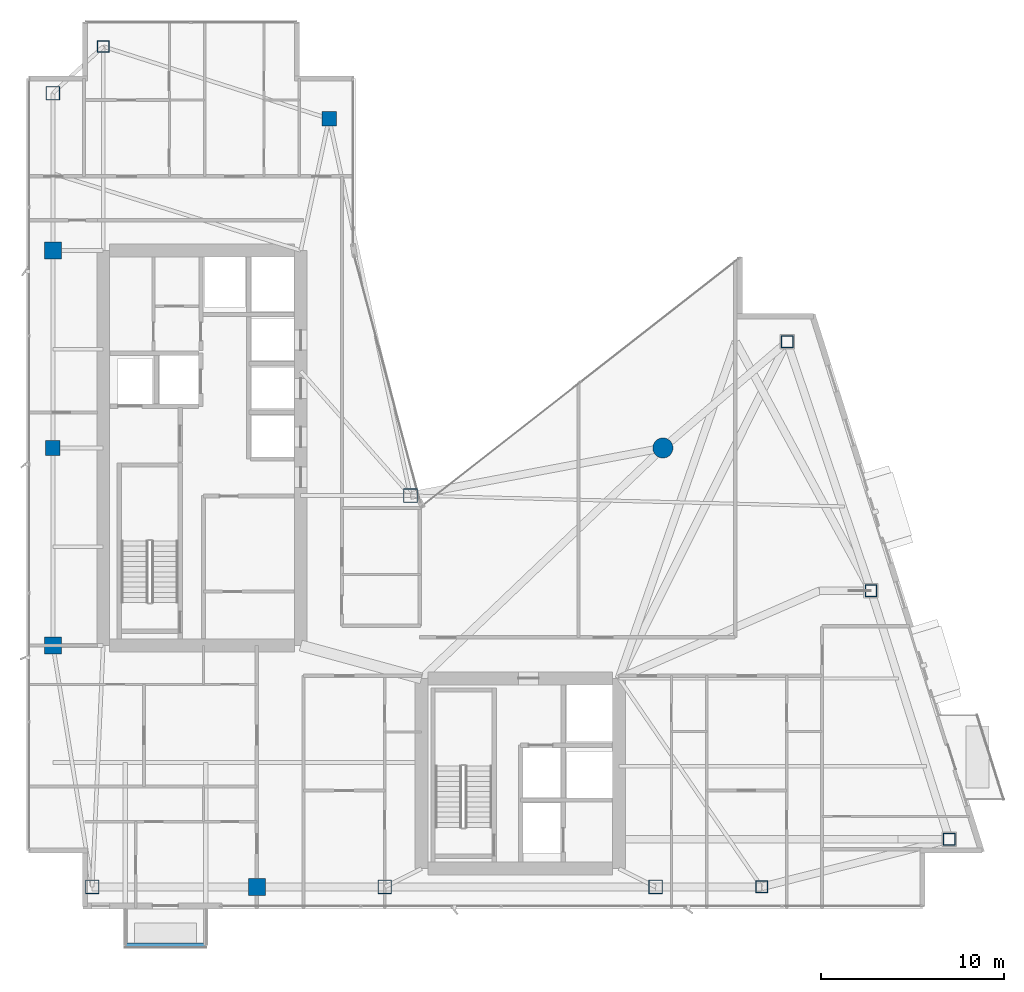
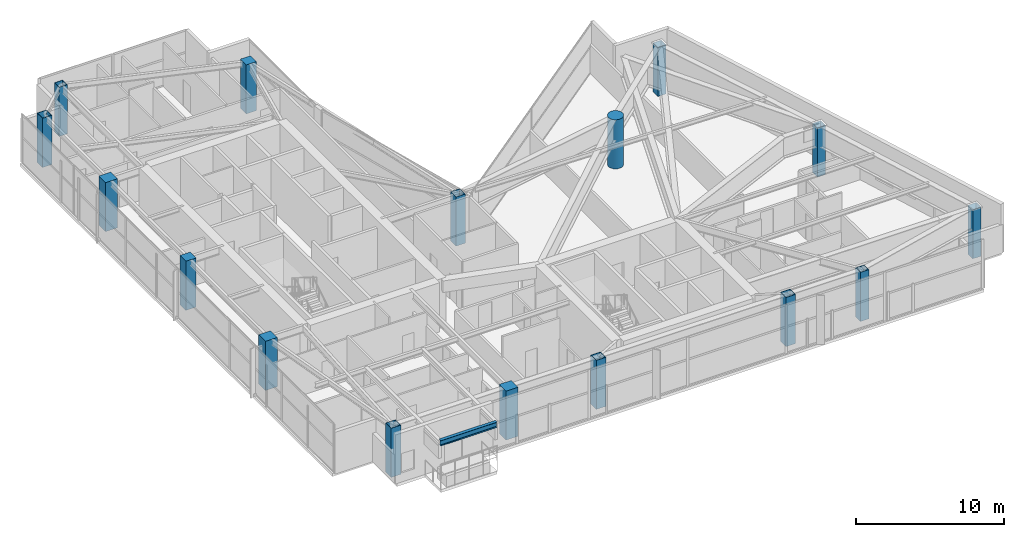
# One storey, part 1 of 29: 16 columns, 1 beam.
"""IFC4 building model written with IfcOpenShell, lengths in metres."""

from ifc_helpers import new_model, si_unit, direction, frame, origin, origin_2d, place, context, subcontext, project, spatial, rectangle, hollow_rectangle, circle, i_section, extrude, material, material_profile, profile_set, type_object, element, save


model = new_model("IFC4")

# Units and contexts
model_context = context("Model", 3, precision=1e-05, world=origin(), true_north=direction((0.0, 1.0)))
body_context = subcontext(model_context, "Body", "Model", "MODEL_VIEW")
ifc_project = project(units=[si_unit("LENGTHUNIT", "METRE"), si_unit("AREAUNIT", "SQUARE_METRE"), si_unit("VOLUMEUNIT", "CUBIC_METRE"), si_unit("PLANEANGLEUNIT", "RADIAN"), si_unit("MASSUNIT", "GRAM", prefix="KILO")], contexts=[model_context])

# Site, building, storey
site_placement = place(None, origin())
site = spatial("IfcSite", under=ifc_project, at=site_placement, CompositionType="ELEMENT")
building_placement = place(site_placement, origin())
building = spatial("IfcBuilding", under=site, at=building_placement, Name="Calvorn Quay Hotel", CompositionType="ELEMENT")
storey_placement = place(building_placement, frame((0.0, 0.0, 214.800048828125)))
storey = spatial("IfcBuildingStorey", under=building, at=storey_placement, Name="L53", CompositionType="ELEMENT", Elevation=214.800048828125)

# Columns
ifc_material_1 = material(Name="Concrete C45", Category="concrete")
ifc_material_profile_1 = material_profile(ifc_material_1, rectangle(XDim=0.800048828125, YDim=0.800048828125, at=origin_2d()), Name="RC800x800")
ifc_profile_set_1 = profile_set([ifc_material_profile_1], Name="Concrete C45")
column_type_1 = type_object("IfcColumnType", Name="COL-RC-800", PredefinedType="COLUMN", material=ifc_profile_set_1)
for number, where, z_axis, x_axis, name in (
    (1, (1.449951171875, 27.60009765625, 0.0), (0.0, 0.0, 1.0), (1.0, 0.0, 0.0), "Column C-W3 (L53)"),
    (2, (16.550048828125, 45.60009765625, 0.0), (0.0, 0.0, 1.0), (1.0, 0.0, 0.0), "Column C-IC1 (L53)"),
):
    element("IfcColumn", number, at=place(storey_placement, frame(where, z_axis=z_axis, x_axis=x_axis)), inside=storey, type_object=column_type_1, Name=name, PredefinedType="COLUMN", context=body_context, shape_type="SweptSolid", body=[
        extrude(rectangle(XDim=0.800048828125, YDim=0.800048828125, at=origin_2d()), origin(), (0.0, 0.0, 1.0), 4.050048828125),
    ])
ifc_material_2 = material(Name="Concrete C45", Category="concrete")
ifc_material_profile_2 = material_profile(ifc_material_2, rectangle(XDim=0.919921875, YDim=0.919921875, at=origin_2d()), Name="RC920x920")
ifc_profile_set_2 = profile_set([ifc_material_profile_2], Name="Concrete C45")
column_type_2 = type_object("IfcColumnType", Name="COL-RC-920", PredefinedType="COLUMN", material=ifc_profile_set_2)
for number, where, z_axis, x_axis, name in (
    (3, (1.449951171875, 16.800048828125, 0.0), (0.0, 0.0, 1.0), (1.0, 0.0, 0.0), "Column C-W2 (L53)"),
    (4, (1.449951171875, 38.39990234375, 0.0), (0.0, 0.0, 1.0), (1.0, 0.0, 0.0), "Column C-W4 (L53)"),
    (5, (12.60009765625, 3.60009765625, 0.0), (0.0, 0.0, 1.0), (1.0, 0.0, 0.0), "Column C-S1 (L53)"),
):
    element("IfcColumn", number, at=place(storey_placement, frame(where, z_axis=z_axis, x_axis=x_axis)), inside=storey, type_object=column_type_2, Name=name, PredefinedType="COLUMN", context=body_context, shape_type="SweptSolid", body=[
        extrude(rectangle(XDim=0.919921875, YDim=0.919921875, at=origin_2d()), origin(), (0.0, 0.0, 1.0), 4.050048828125),
    ])
ifc_material_3 = material(Name="Concrete C50", Category="concrete")
ifc_material_profile_3 = material_profile(ifc_material_3, circle(Radius=0.550048828125, at=origin_2d()), Name="RCD1100")
ifc_profile_set_3 = profile_set([ifc_material_profile_3], Name="Concrete C50")
column_type_3 = type_object("IfcColumnType", Name="COL-RC-D1100", PredefinedType="COLUMN", material=ifc_profile_set_3)
column_placement = place(storey_placement, frame((34.800048828125, 27.60009765625, 0.0), z_axis=(0.0, 0.0, 1.0), x_axis=(1.0, 0.0, 0.0)))
element("IfcColumn", 6, at=column_placement, inside=storey, type_object=column_type_3, Name="Column C-NC1 (L53)", PredefinedType="COLUMN", context=body_context, shape_type="SweptSolid", body=[
    extrude(circle(Radius=0.550048828125, at=origin_2d()), origin(), (0.0, 0.0, 1.0), 4.050048828125),
])
ifc_material_4 = material(Name="Steel Q390GJC", Category="steel")
ifc_material_profile_4 = material_profile(ifc_material_4, hollow_rectangle(XDim=0.75, YDim=0.75, WallThickness=0.031982421875, at=origin_2d()), Name="BOX750x750x32")
ifc_profile_set_4 = profile_set([ifc_material_profile_4], Name="Steel Q390GJC")
column_type_4 = type_object("IfcColumnType", Name="COL-STL-Z3", PredefinedType="COLUMN", material=ifc_profile_set_4)
for number, where, z_axis, x_axis, name in (
    (7, (3.60009765625, 3.60009765625, 0.0), (0.0, 0.0, 1.0), (1.0, 0.0, 0.0), "Column C-W1 (L53)"),
    (8, (1.449951171875, 47.0, 0.0), (0.0, 0.0, 1.0), (1.0, 0.0, 0.0), "Column C-W5 (L53)"),
    (9, (21.0, 25.0, 0.0), (0.0, 0.0, 1.0), (1.0, 0.0, 0.0), "Column C-IC2 (L53)"),
    (10, (19.60009765625, 3.60009765625, 0.0), (0.0, 0.0, 1.0), (1.0, 0.0, 0.0), "Column C-S2 (L53)"),
    (11, (34.39990234375, 3.60009765625, 0.0), (0.0, 0.0, 1.0), (1.0, 0.0, 0.0), "Column C-S3 (L53)"),
):
    element("IfcColumn", number, at=place(storey_placement, frame(where, z_axis=z_axis, x_axis=x_axis)), inside=storey, type_object=column_type_4, Name=name, PredefinedType="COLUMN", context=body_context, shape_type="SweptSolid", body=[
        extrude(hollow_rectangle(XDim=0.75, YDim=0.75, WallThickness=0.031982421875, at=origin_2d()), origin(), (0.0, 0.0, 1.0), 4.050048828125),
    ])
ifc_material_5 = material(Name="Steel Q355B", Category="steel")
ifc_material_profile_5 = material_profile(ifc_material_5, hollow_rectangle(XDim=0.64990234375, YDim=0.64990234375, WallThickness=0.028076171875, at=origin_2d()), Name="BOX650x650x28")
ifc_profile_set_5 = profile_set([ifc_material_profile_5], Name="Steel Q355B")
column_type_5 = type_object("IfcColumnType", Name="COL-STL-Z4", PredefinedType="COLUMN", material=ifc_profile_set_5)
for number, where, z_axis, x_axis, name in (
    (12, (4.199951171875, 49.550048828125, 0.0), (0.0, 0.0, 1.0), (1.0, 0.0, 0.0), "Column C-NW1 (L53)"),
    (13, (40.199951171875, 3.60009765625, 0.0), (0.0, 0.0, 1.0), (1.0, 0.0, 0.0), "Column C-S4 (L53)"),
    (14, (50.4609375, 6.199951171875, 0.0), (0.0, 0.0, 1.0), (1.0, 0.0, 0.0), "Column C-ET1 (L53)"),
    (15, (46.176025390625, 19.800048828125, 0.0), (0.0, 0.0, 1.0), (1.0, 0.0, 0.0), "Column C-ET2 (L53)"),
    (16, (41.591064453125, 33.39990234375, 0.0), (0.0, 0.0, 1.0), (1.0, 0.0, 0.0), "Column C-ET3 (L53)"),
):
    element("IfcColumn", number, at=place(storey_placement, frame(where, z_axis=z_axis, x_axis=x_axis)), inside=storey, type_object=column_type_5, Name=name, PredefinedType="COLUMN", context=body_context, shape_type="SweptSolid", body=[
        extrude(hollow_rectangle(XDim=0.64990234375, YDim=0.64990234375, WallThickness=0.028076171875, at=origin_2d()), origin(), (0.0, 0.0, 1.0), 4.050048828125),
    ])

# Beam
ifc_material_6 = material(Name="Steel Q355B", Category="steel")
ifc_material_profile_6 = material_profile(ifc_material_6, i_section(OverallWidth=0.25, OverallDepth=0.449951171875, WebThickness=0.011962890625, FlangeThickness=0.01611328125, FilletRadius=0.01611328125, at=origin_2d()), Name="HN450x250x12x16")
ifc_profile_set_6 = profile_set([ifc_material_profile_6], Name="Steel Q355B")
beam_type = type_object("IfcBeamType", Name="BM-CANT-BALC", PredefinedType="BEAM", material=ifc_profile_set_6)
beam_placement = place(storey_placement, frame((5.39990234375, 0.409912109375, 3.824951171875), z_axis=(1.0, 0.0, 0.0), x_axis=(0.0, 1.0, 0.0)))
element("IfcBeam", 17, at=beam_placement, inside=storey, type_object=beam_type, Name="Beam BCBO-L54-1", PredefinedType="BEAM", context=body_context, shape_type="SweptSolid", body=[
    extrude(i_section(OverallWidth=0.25, OverallDepth=0.449951171875, WebThickness=0.011962890625, FlangeThickness=0.01611328125, FilletRadius=0.01611328125, at=origin_2d()), origin(), (0.0, 0.0, 1.0), 4.400146484375),
])

save(model, "model.ifc")
